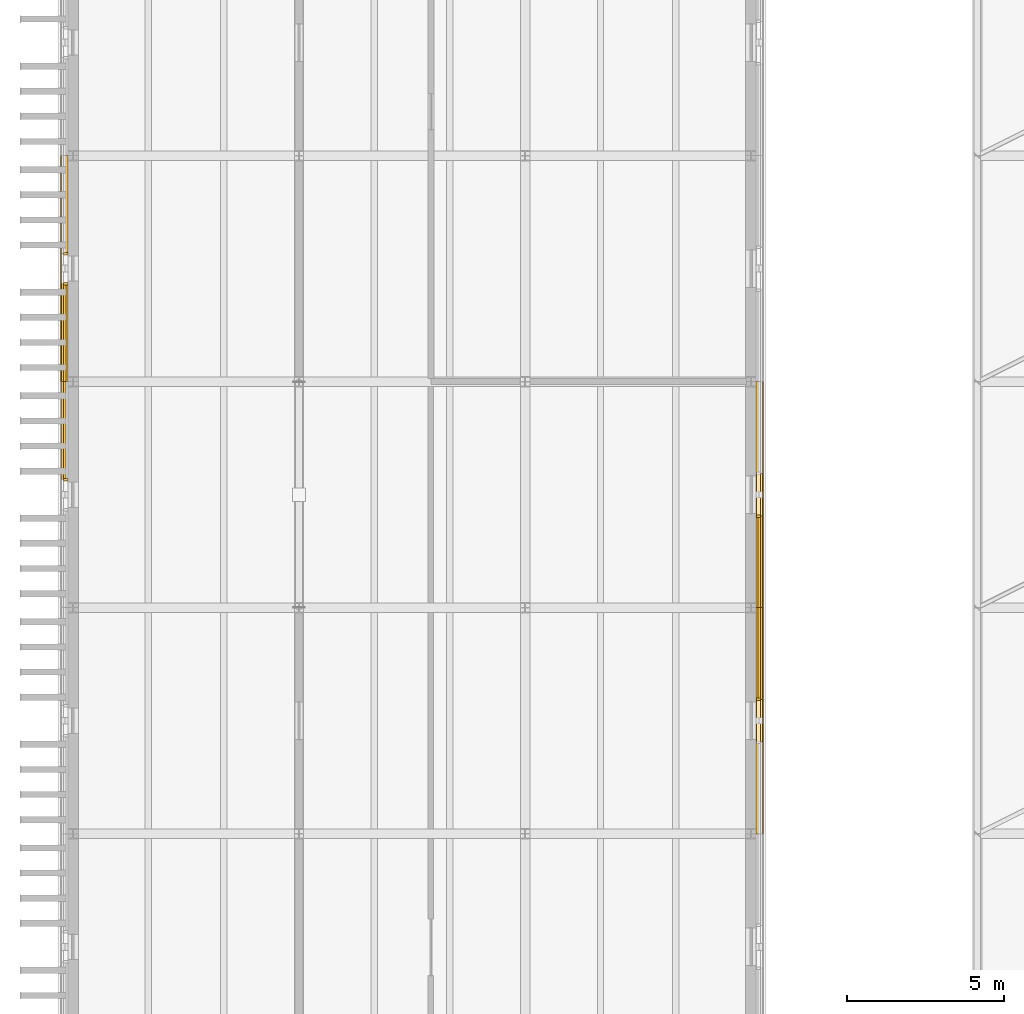
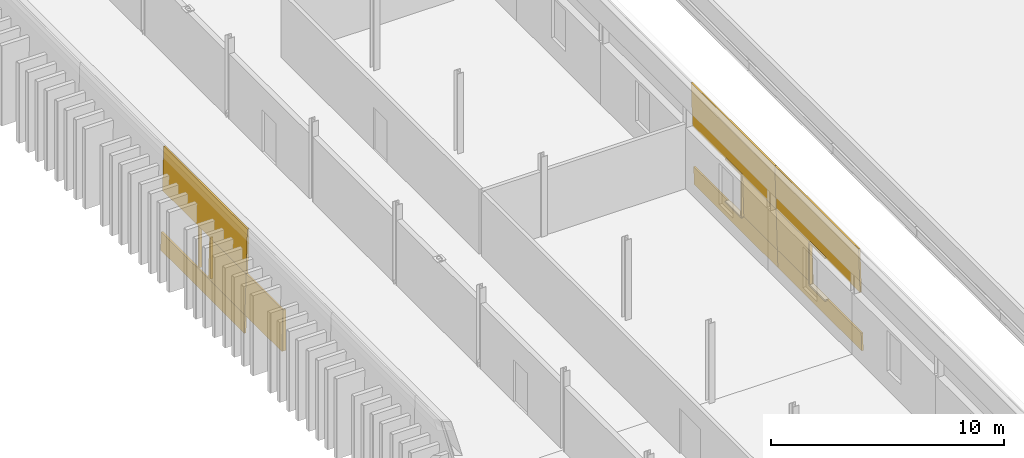
# One storey, part 40 of 44: 19 coverings.
"""IFC4 building model written with IfcOpenShell, lengths in metres."""

from ifc_helpers import new_model, si_unit, direction, frame, origin, place, context, subcontext, project, spatial, polyline, outline, extrude, material, layer, layer_set, type_object, element, save


model = new_model("IFC4")

# Units and contexts
model_context = context("Model", 3, precision=1e-05, world=origin(), true_north=direction((0.0, 1.0)))
body_context = subcontext(model_context, "Body", "Model", "MODEL_VIEW")
ifc_project = project(units=[si_unit("LENGTHUNIT", "METRE"), si_unit("AREAUNIT", "SQUARE_METRE"), si_unit("VOLUMEUNIT", "CUBIC_METRE"), si_unit("PLANEANGLEUNIT", "RADIAN"), si_unit("MASSUNIT", "GRAM", prefix="KILO")], contexts=[model_context])

# Site, building, storey
site_placement = place(None, origin())
site = spatial("IfcSite", under=ifc_project, at=site_placement, CompositionType="ELEMENT")
building_placement = place(site_placement, origin())
building = spatial("IfcBuilding", under=site, at=building_placement, Name="Narikvali Park Central Library", CompositionType="ELEMENT")
storey_placement = place(building_placement, frame((0.0, 0.0, 22.800048828125)))
storey = spatial("IfcBuildingStorey", under=building, at=storey_placement, Name="L05", CompositionType="ELEMENT", Elevation=22.800048828125)

# Coverings
ifc_material = material(Name="White Honed Limestone Cladding", Category="masonry")
ifc_layer_1 = layer(ifc_material, 0.0849609375, Name="White Honed Limestone Cladding")
ifc_layer_set_1 = layer_set([ifc_layer_1], Name="White Honed Limestone Cladding")
covering_type_1 = type_object("IfcCoveringType", Name="Battered White Limestone Facade Cladding Panel", PredefinedType="CLADDING", material=ifc_layer_set_1)
covering_1_placement = place(storey_placement, frame((21.9931640625, 64.800048828125, 0.0), z_axis=(0.999600632529, 0.0, 0.02825907725), x_axis=(0.0, 1.0, 0.0)))
element("IfcCovering", 1, at=covering_1_placement, inside=storey, type_object=covering_type_1, Name="V5 L05 E Battered Limestone Spandrel B04", PredefinedType="CLADDING", context=body_context, shape_type="SweptSolid", body=[
    extrude(outline(polyline([(0.0, 0.0), (7.199951171875, 0.0), (7.199951171875, 0.9503307030441919), (0.0, 0.9503307030441919), (0.0, 0.0)])), origin(), (0.0, 0.0, -1.0), 0.0849609375),
])
covering_2_placement = place(storey_placement, frame((21.9052734375, 64.800048828125, 3.099853515625), z_axis=(0.999598637315, 0.0, 0.028329565456), x_axis=(0.0, 1.0, 0.0)))
element("IfcCovering", 2, at=covering_2_placement, inside=storey, type_object=covering_type_1, Name="V5 L05 E Battered Limestone Lintel B04", PredefinedType="CLADDING", context=body_context, shape_type="SweptSolid", body=[
    extrude(outline(polyline([(0.0, 0.0), (7.199951171875, 0.0), (7.199951171875, 2.3009723525676224), (0.0, 2.3009723525676224), (0.0, 0.0)])), origin(), (0.0, 0.0, -1.0), 0.0849609375),
])
covering_3_placement = place(storey_placement, frame((21.96630859375, 69.0400390625, 0.949951171875), z_axis=(0.99959725493, 0.0, 0.028378300447), x_axis=(0.0, 1.0, 0.0)))
element("IfcCovering", 3, at=covering_3_placement, inside=storey, type_object=covering_type_1, Name="V5 L05 E Battered Limestone Jamb Pier R B04", PredefinedType="CLADDING", context=body_context, shape_type="SweptSolid", body=[
    extrude(outline(polyline([(0.0, 0.0), (2.9599609375, 0.0), (2.9599609375, 2.150768555182125), (0.0, 2.150768555182125), (0.0, 0.0)])), origin(), (0.0, 0.0, -1.0), 0.0849609375),
])
covering_4_placement = place(storey_placement, frame((21.9931640625, 72.0, 0.0), z_axis=(0.999600632529, 0.0, 0.02825907725), x_axis=(0.0, 1.0, 0.0)))
element("IfcCovering", 4, at=covering_4_placement, inside=storey, type_object=covering_type_1, Name="V5 L05 E Battered Limestone Spandrel B05", PredefinedType="CLADDING", context=body_context, shape_type="SweptSolid", body=[
    extrude(outline(polyline([(0.0, 0.0), (7.199951171875, 0.0), (7.199951171875, 0.9503307030441919), (0.0, 0.9503307030441919), (0.0, 0.0)])), origin(), (0.0, 0.0, -1.0), 0.0849609375),
])
covering_5_placement = place(storey_placement, frame((21.9052734375, 72.0, 3.099853515625), z_axis=(0.999598637315, 0.0, 0.028329565456), x_axis=(0.0, 1.0, 0.0)))
element("IfcCovering", 5, at=covering_5_placement, inside=storey, type_object=covering_type_1, Name="V5 L05 E Battered Limestone Lintel B05", PredefinedType="CLADDING", context=body_context, shape_type="SweptSolid", body=[
    extrude(outline(polyline([(0.0, 0.0), (7.199951171875, 0.0), (7.199951171875, 2.3009723525676224), (0.0, 2.3009723525676224), (0.0, 0.0)])), origin(), (0.0, 0.0, -1.0), 0.0849609375),
])
covering_6_placement = place(storey_placement, frame((21.96630859375, 72.0, 0.949951171875), z_axis=(0.99959725493, 0.0, 0.028378300447), x_axis=(0.0, 1.0, 0.0)))
element("IfcCovering", 6, at=covering_6_placement, inside=storey, type_object=covering_type_1, Name="V5 L05 E Battered Limestone Jamb Pier L B05", PredefinedType="CLADDING", context=body_context, shape_type="SweptSolid", body=[
    extrude(outline(polyline([(0.0, 0.0), (2.9599609375, 0.0), (2.9599609375, 2.150768555182125), (0.0, 2.150768555182125), (0.0, 0.0)])), origin(), (0.0, 0.0, -1.0), 0.0849609375),
])
covering_7_placement = place(storey_placement, frame((-0.393310546875, 86.39990234375, 0.0), z_axis=(-0.999593342746, 0.0, 0.028515769994), x_axis=(0.0, -1.0, 0.0)))
element("IfcCovering", 7, at=covering_7_placement, inside=storey, type_object=covering_type_1, Name="V5 L05 W Battered Limestone Spandrel B04", PredefinedType="CLADDING", context=body_context, shape_type="SweptSolid", body=[
    extrude(outline(polyline([(0.0, 0.0), (7.199951171875, 0.0), (7.199951171875, 0.9503376335676513), (0.0, 0.9503376335676513), (0.0, 0.0)])), origin(), (0.0, 0.0, -1.0), 0.0849609375),
])
covering_8_placement = place(storey_placement, frame((-0.30517578125, 86.39990234375, 3.099853515625), z_axis=(-0.999598637315, 0.0, 0.028329565456), x_axis=(0.0, -1.0, 0.0)))
element("IfcCovering", 8, at=covering_8_placement, inside=storey, type_object=covering_type_1, Name="V5 L05 W Battered Limestone Lintel B04", PredefinedType="CLADDING", context=body_context, shape_type="SweptSolid", body=[
    extrude(outline(polyline([(0.0, 0.0), (7.199951171875, 0.0), (7.199951171875, 2.3009723525676224), (0.0, 2.3009723525676224), (0.0, 0.0)])), origin(), (0.0, 0.0, -1.0), 0.0849609375),
])
covering_9_placement = place(storey_placement, frame((-0.3662109375, 82.360107421875, 0.949951171875), z_axis=(-0.99959725493, 0.0, 0.028378300447), x_axis=(0.0, -1.0, 0.0)))
element("IfcCovering", 9, at=covering_9_placement, inside=storey, type_object=covering_type_1, Name="V5 L05 W Battered Limestone Jamb Pier R B04", PredefinedType="CLADDING", context=body_context, shape_type="SweptSolid", body=[
    extrude(outline(polyline([(0.0, 0.0), (3.16015625, 0.0), (3.16015625, 2.150768555182125), (0.0, 2.150768555182125), (0.0, 0.0)])), origin(), (0.0, 0.0, -1.0), 0.0849609375),
])
covering_10_placement = place(storey_placement, frame((-0.3662109375, 79.199951171875, 0.949951171875), z_axis=(-0.99959725493, 0.0, 0.028378300447), x_axis=(0.0, -1.0, 0.0)))
element("IfcCovering", 10, at=covering_10_placement, inside=storey, type_object=covering_type_1, Name="V5 L05 W Battered Limestone Jamb Pier L B05", PredefinedType="CLADDING", context=body_context, shape_type="SweptSolid", body=[
    extrude(outline(polyline([(0.0, 0.0), (3.159912109375, 0.0), (3.159912109375, 2.150768555182125), (0.0, 2.150768555182125), (0.0, 0.0)])), origin(), (0.0, 0.0, -1.0), 0.0849609375),
])
ifc_layer_2 = layer(ifc_material, 0.080078125, Name="White Honed Limestone Cladding")
ifc_layer_set_2 = layer_set([ifc_layer_2], Name="White Honed Limestone Cladding")
covering_type_2 = type_object("IfcCoveringType", Name="Deep Carved White Limestone Window Reveal", PredefinedType="CLADDING", material=ifc_layer_set_2)
covering_11_placement = place(storey_placement, frame((0.0, 0.0, 3.099853515625)))
element("IfcCovering", 11, at=covering_11_placement, inside=storey, type_object=covering_type_2, Name="Deep Stone Reveal Head V5-RVL-L05-E-B04", PredefinedType="CLADDING", context=body_context, shape_type="SweptSolid", body=[
    extrude(outline(polyline([(21.764892578125, 67.719970703125), (21.764892578125, 69.080078125), (21.9052734375, 69.080078125), (21.9052734375, 67.719970703125), (21.764892578125, 67.719970703125)])), origin(), (0.0, 0.0, 1.0), 0.080078125),
])
covering_12_placement = place(storey_placement, frame((0.0, 0.0, 0.869873046875)))
element("IfcCovering", 12, at=covering_12_placement, inside=storey, type_object=covering_type_2, Name="Deep Stone Reveal Sill V5-RVL-L05-E-B04", PredefinedType="CLADDING", context=body_context, shape_type="SweptSolid", body=[
    extrude(outline(polyline([(21.764892578125, 67.719970703125), (21.764892578125, 69.080078125), (21.96630859375, 69.080078125), (21.96630859375, 67.719970703125), (21.764892578125, 67.719970703125)])), origin(), (0.0, 0.0, 1.0), 0.080078125),
])
covering_13_placement = place(storey_placement, frame((0.0, 0.0, 0.949951171875)))
element("IfcCovering", 13, at=covering_13_placement, inside=storey, type_object=covering_type_2, Name="Deep Stone Reveal Jamb R V5-RVL-L05-E-B04", PredefinedType="CLADDING", context=body_context, shape_type="SweptSolid", body=[
    extrude(outline(polyline([(21.764892578125, 69.0400390625), (21.764892578125, 69.1201171875), (21.9052734375, 69.1201171875), (21.9052734375, 69.0400390625), (21.764892578125, 69.0400390625)])), origin(), (0.0, 0.0, 1.0), 2.14990234375),
])
covering_14_placement = place(storey_placement, frame((0.0, 0.0, 3.099853515625)))
element("IfcCovering", 14, at=covering_14_placement, inside=storey, type_object=covering_type_2, Name="Deep Stone Reveal Head V5-RVL-L05-E-B05", PredefinedType="CLADDING", context=body_context, shape_type="SweptSolid", body=[
    extrude(outline(polyline([(21.764892578125, 74.919921875), (21.764892578125, 76.280029296875), (21.9052734375, 76.280029296875), (21.9052734375, 74.919921875), (21.764892578125, 74.919921875)])), origin(), (0.0, 0.0, 1.0), 0.080078125),
])
covering_15_placement = place(storey_placement, frame((0.0, 0.0, 0.869873046875)))
element("IfcCovering", 15, at=covering_15_placement, inside=storey, type_object=covering_type_2, Name="Deep Stone Reveal Sill V5-RVL-L05-E-B05", PredefinedType="CLADDING", context=body_context, shape_type="SweptSolid", body=[
    extrude(outline(polyline([(21.764892578125, 74.919921875), (21.764892578125, 76.280029296875), (21.96630859375, 76.280029296875), (21.96630859375, 74.919921875), (21.764892578125, 74.919921875)])), origin(), (0.0, 0.0, 1.0), 0.080078125),
])
covering_16_placement = place(storey_placement, frame((0.0, 0.0, 0.949951171875)))
element("IfcCovering", 16, at=covering_16_placement, inside=storey, type_object=covering_type_2, Name="Deep Stone Reveal Jamb L V5-RVL-L05-E-B05", PredefinedType="CLADDING", context=body_context, shape_type="SweptSolid", body=[
    extrude(outline(polyline([(21.764892578125, 74.8798828125), (21.764892578125, 74.9599609375), (21.9052734375, 74.9599609375), (21.9052734375, 74.8798828125), (21.764892578125, 74.8798828125)])), origin(), (0.0, 0.0, 1.0), 2.14990234375),
])
covering_17_placement = place(storey_placement, frame((0.0, 0.0, 0.949951171875)))
element("IfcCovering", 17, at=covering_17_placement, inside=storey, type_object=covering_type_2, Name="Deep Stone Reveal Jamb L V5-RVL-L05-W-B04", PredefinedType="CLADDING", context=body_context, shape_type="SweptSolid", body=[
    extrude(outline(polyline([(-0.1650390625, 83.320068359375), (-0.1650390625, 83.239990234375), (-0.30517578125, 83.239990234375), (-0.30517578125, 83.320068359375), (-0.1650390625, 83.320068359375)])), origin(), (0.0, 0.0, 1.0), 2.14990234375),
])
covering_18_placement = place(storey_placement, frame((0.0, 0.0, 0.949951171875)))
element("IfcCovering", 18, at=covering_18_placement, inside=storey, type_object=covering_type_2, Name="Deep Stone Reveal Jamb R V5-RVL-L05-W-B04", PredefinedType="CLADDING", context=body_context, shape_type="SweptSolid", body=[
    extrude(outline(polyline([(-0.1650390625, 82.360107421875), (-0.1650390625, 82.280029296875), (-0.30517578125, 82.280029296875), (-0.30517578125, 82.360107421875), (-0.1650390625, 82.360107421875)])), origin(), (0.0, 0.0, 1.0), 2.14990234375),
])
covering_19_placement = place(storey_placement, frame((0.0, 0.0, 0.949951171875)))
element("IfcCovering", 19, at=covering_19_placement, inside=storey, type_object=covering_type_2, Name="Deep Stone Reveal Jamb L V5-RVL-L05-W-B05", PredefinedType="CLADDING", context=body_context, shape_type="SweptSolid", body=[
    extrude(outline(polyline([(-0.1650390625, 76.1201171875), (-0.1650390625, 76.0400390625), (-0.30517578125, 76.0400390625), (-0.30517578125, 76.1201171875), (-0.1650390625, 76.1201171875)])), origin(), (0.0, 0.0, 1.0), 2.14990234375),
])

save(model, "model.ifc")
